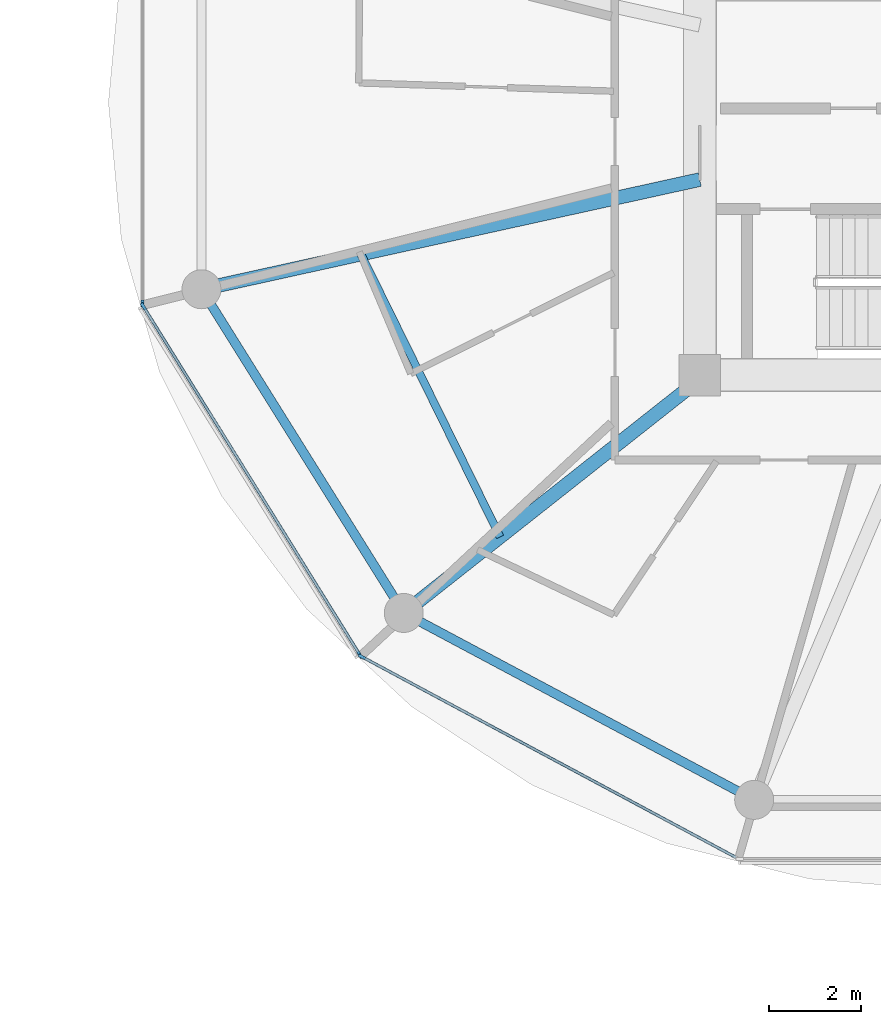
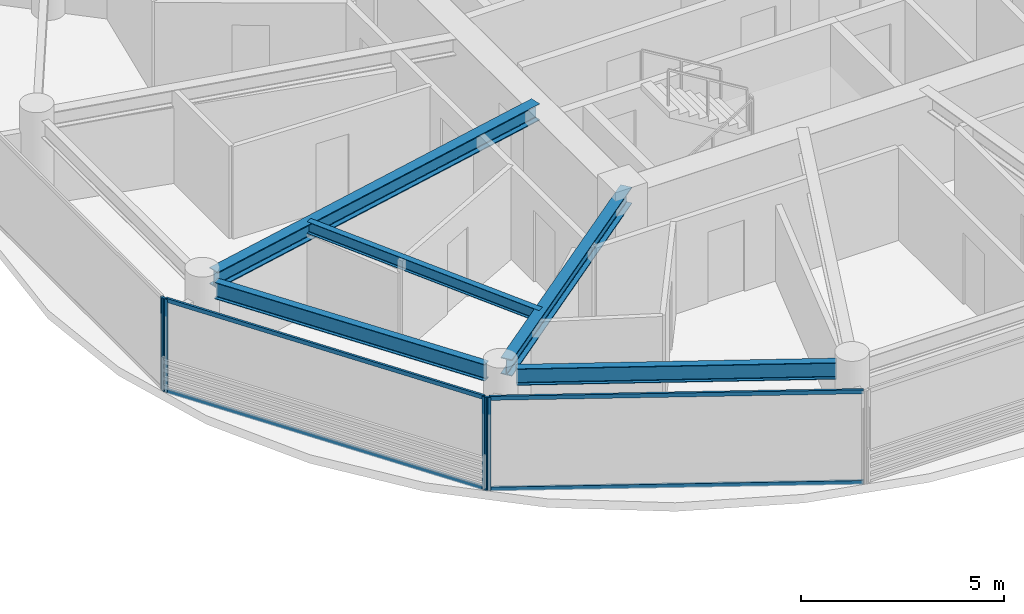
# One storey, part 6 of 24: 8 members, 5 beams, 3 elements without a shape of their own.
"""IFC4 building model written with IfcOpenShell, lengths in metres."""

from ifc_helpers import new_model, si_unit, direction, frame, origin, origin_2d, place, context, subcontext, project, spatial, rectangle, i_section, extrude, source, transform, mapped, material, layer, layer_set, material_profile, profile_set, type_object, type_shapes, element, aggregate, save


model = new_model("IFC4")

# Units and contexts
model_context = context("Model", 3, precision=1e-05, world=origin(), true_north=direction((0.0, 1.0)))
body_context = subcontext(model_context, "Body", "Model", "MODEL_VIEW")
ifc_project = project(units=[si_unit("LENGTHUNIT", "METRE"), si_unit("AREAUNIT", "SQUARE_METRE"), si_unit("VOLUMEUNIT", "CUBIC_METRE"), si_unit("PLANEANGLEUNIT", "RADIAN"), si_unit("MASSUNIT", "GRAM", prefix="KILO")], contexts=[model_context])

# Site, building, storey
site_placement = place(None, origin())
site = spatial("IfcSite", under=ifc_project, at=site_placement, CompositionType="ELEMENT")
building_placement = place(site_placement, origin())
building = spatial("IfcBuilding", under=site, at=building_placement, Name="Norrkilde Senior Care Towers", CompositionType="ELEMENT")
storey_placement = place(building_placement, frame((0.0, 0.0, 105.39990234375)))
storey = spatial("IfcBuildingStorey", under=building, at=storey_placement, Name="L32", CompositionType="ELEMENT", Elevation=105.39990234375)

# Beams
ifc_material_1 = material(Name="Steel S355", Category="steel")
ifc_material_profile_1 = material_profile(ifc_material_1, i_section(OverallWidth=0.199951171875, OverallDepth=0.5, WebThickness=0.01025390625, FlangeThickness=0.01611328125, FilletRadius=0.02099609375, at=origin_2d()), Name="IPE 500")
ifc_profile_set_1 = profile_set([ifc_material_profile_1], Name="Steel S355")
beam_type_1 = type_object("IfcBeamType", Name="Perimeter Ring Spandrel Z2 IPE500", PredefinedType="SPANDREL", material=ifc_profile_set_1)
shared_shape_1 = source(origin(), body_context, "Body", "SweptSolid", [
    extrude(i_section(OverallWidth=0.199951171875, OverallDepth=0.5, WebThickness=0.01025390625, FlangeThickness=0.01611328125, FilletRadius=0.02099609375, at=origin_2d()), origin(), (0.0, 0.0, 1.0), 7.55615234375),
])
beam_1_placement = place(storey_placement, frame((9.68505859375, -4.40283203125, 2.5400390625), z_axis=(0.529981514254, -0.848009194849, 0.0), x_axis=(0.848009194849, 0.529981514254, 0.0)))
element("IfcBeam", 1, at=beam_1_placement, inside=storey, type_object=beam_type_1, Name="L32 Drum E Perimeter Spandrel 07", PredefinedType="SPANDREL", context=body_context, shape_type="MappedRepresentation", body=[
    mapped(shared_shape_1, transform((0.0, 0.0, 0.0), x_axis=(1.0, 0.0, 0.0), y_axis=(0.0, 1.0, 0.0), z_axis=(0.0, 0.0, 1.0), scale=1.0)),
])
ifc_material_profile_2 = material_profile(ifc_material_1, i_section(OverallWidth=0.300048828125, OverallDepth=0.5, WebThickness=0.014404296875, FlangeThickness=0.028076171875, FilletRadius=0.027099609375, at=origin_2d()), Name="HEB 500")
ifc_profile_set_2 = profile_set([ifc_material_profile_2], Name="Steel S355")
beam_type_2 = type_object("IfcBeamType", Name="Radial Floor Beam Z2 HEB500", PredefinedType="BEAM", material=ifc_profile_set_2)
shared_shape_2 = source(origin(), body_context, "Body", "SweptSolid", [
    extrude(i_section(OverallWidth=0.300048828125, OverallDepth=0.5, WebThickness=0.014404296875, FlangeThickness=0.028076171875, FilletRadius=0.027099609375, at=origin_2d()), origin(), (0.0, 0.0, 1.0), 10.744384765625),
])
beam_2_placement = place(storey_placement, frame((20.35009765625, -1.683837890625, 2.5400390625), z_axis=(-0.976618711422, -0.214978818724, 0.0), x_axis=(0.214978818724, -0.976618711422, 0.0)))
element("IfcBeam", 2, at=beam_2_placement, inside=storey, type_object=beam_type_2, Name="L32 Drum E Radial Floor Beam 07", PredefinedType="BEAM", context=body_context, shape_type="MappedRepresentation", body=[
    mapped(shared_shape_2, transform((0.0, 0.0, 0.0), x_axis=(1.0, 0.0, 0.0), y_axis=(0.0, 1.0, 0.0), z_axis=(0.0, 0.0, 1.0), scale=1.0)),
])
shared_shape_3 = source(origin(), body_context, "Body", "SweptSolid", [
    extrude(i_section(OverallWidth=0.199951171875, OverallDepth=0.5, WebThickness=0.01025390625, FlangeThickness=0.01611328125, FilletRadius=0.02099609375, at=origin_2d()), origin(), (0.0, 0.0, 1.0), 7.892333984375),
])
type_shapes(beam_type_1, [shared_shape_1, shared_shape_3])
beam_3_placement = place(storey_placement, frame((14.233642578125, -11.318115234375, 2.5400390625), z_axis=(0.882350372282, -0.47059305194, 0.0), x_axis=(0.47059305194, 0.882350372282, 0.0)))
element("IfcBeam", 3, at=beam_3_placement, inside=storey, type_object=beam_type_1, Name="L32 Drum E Perimeter Spandrel 08", PredefinedType="SPANDREL", context=body_context, shape_type="MappedRepresentation", body=[
    mapped(shared_shape_3, transform((0.0, 0.0, 0.0), x_axis=(1.0, 0.0, 0.0), y_axis=(0.0, 1.0, 0.0), z_axis=(0.0, 0.0, 1.0), scale=1.0)),
])
shared_shape_4 = source(origin(), body_context, "Body", "SweptSolid", [
    extrude(i_section(OverallWidth=0.300048828125, OverallDepth=0.5, WebThickness=0.014404296875, FlangeThickness=0.028076171875, FilletRadius=0.027099609375, at=origin_2d()), origin(), (0.0, 0.0, 1.0), 7.985595703125),
])
type_shapes(beam_type_2, [shared_shape_2, shared_shape_4])
beam_4_placement = place(storey_placement, frame((20.463623046875, -5.949951171875, 2.5400390625), z_axis=(-0.784858505144, -0.619675017169, 0.0), x_axis=(0.619675017169, -0.784858505144, 0.0)))
element("IfcBeam", 4, at=beam_4_placement, inside=storey, type_object=beam_type_2, Name="L32 Drum E Radial Floor Beam 08", PredefinedType="BEAM", context=body_context, shape_type="MappedRepresentation", body=[
    mapped(shared_shape_4, transform((0.0, 0.0, 0.0), x_axis=(1.0, 0.0, 0.0), y_axis=(0.0, 1.0, 0.0), z_axis=(0.0, 0.0, 1.0), scale=1.0)),
])
ifc_material_profile_3 = material_profile(ifc_material_1, i_section(OverallWidth=0.169921875, OverallDepth=0.360107421875, WebThickness=0.008056640625, FlangeThickness=0.0126953125, FilletRadius=0.01806640625, at=origin_2d()), Name="IPE 360")
ifc_profile_set_3 = profile_set([ifc_material_profile_3], Name="Steel S355")
beam_type_3 = type_object("IfcBeamType", Name="Secondary Floor Joist IPE360", PredefinedType="JOIST", material=ifc_profile_set_3)
shared_shape_5 = source(origin(), body_context, "Body", "SweptSolid", [
    extrude(i_section(OverallWidth=0.169921875, OverallDepth=0.360107421875, WebThickness=0.008056640625, FlangeThickness=0.0126953125, FilletRadius=0.01806640625, at=origin_2d()), origin(), (0.0, 0.0, 1.0), 6.87353515625),
])
type_shapes(beam_type_3, [shared_shape_5])
beam_5_placement = place(storey_placement, frame((12.958984375, -3.310791015625, 2.610107421875), z_axis=(0.44184939592, -0.897089243791, 0.0), x_axis=(0.897089243791, 0.44184939592, 0.0)))
element("IfcBeam", 5, at=beam_5_placement, inside=storey, type_object=beam_type_3, Name="L32 Drum E Secondary Floor Joist 3", PredefinedType="JOIST", context=body_context, shape_type="MappedRepresentation", body=[
    mapped(shared_shape_5, transform((0.0, 0.0, 0.0), x_axis=(1.0, 0.0, 0.0), y_axis=(0.0, 1.0, 0.0), z_axis=(0.0, 0.0, 1.0), scale=1.0)),
])

# Curtain wall, member
ifc_material_2 = material(Name="Triple Low-E Insulated Glazing", Category="glass")
ifc_layer = layer(ifc_material_2, 0.195068359375)
ifc_layer_set = layer_set([ifc_layer], Name="Triple Low-E Insulated Glazing")
curtain_wall_type = type_object("IfcCurtainWallType", Name="CW3 Zone 2 Assisted Living Curtain Wall", PredefinedType="NOTDEFINED", material=ifc_layer_set)
curtain_wall_1_placement = place(storey_placement, origin())
curtain_wall_1 = element("IfcCurtainWall", 6, at=curtain_wall_1_placement, inside=storey, type_object=curtain_wall_type, Name="L32 Drum E Curtain Wall 05", PredefinedType="NOTDEFINED")
ifc_material_3 = material(Name="Anodised Aluminium", Category="aluminium")
ifc_material_profile_4 = material_profile(ifc_material_3, rectangle(XDim=0.06494140625, YDim=0.159912109375, at=origin_2d()), Name="ALU MULL 65x160")
ifc_profile_set_4 = profile_set([ifc_material_profile_4], Name="Anodised Aluminium")
member_type_1 = type_object("IfcMemberType", Name="Curtain Wall Mullion Z1-Z2 65x160", PredefinedType="MULLION", material=ifc_profile_set_4)
shared_shape_6 = source(origin(), body_context, "Body", "SweptSolid", [
    extrude(rectangle(XDim=0.06494140625, YDim=0.159912109375, at=origin_2d()), origin(), (0.0, 0.0, 1.0), 2.7900390625),
])
type_shapes(member_type_1, [shared_shape_6])
member_1_placement = place(storey_placement, frame((8.1962890625, -4.38818359375, 0.0), z_axis=(0.0, 0.0, 1.0), x_axis=(-1.0, 0.0, 0.0)))
member_1 = element("IfcMember", 7, at=member_1_placement, type_object=member_type_1, Name="CW-3 mullion 1", PredefinedType="MULLION", context=body_context, shape_type="MappedRepresentation", body=[
    mapped(shared_shape_6, transform((0.0, 0.0, 0.0), x_axis=(1.0, 0.0, 0.0), y_axis=(0.0, 1.0, 0.0), z_axis=(0.0, 0.0, 1.0), scale=1.0)),
])
aggregate(curtain_wall_1, [member_1])

# Curtain wall, members
curtain_wall_2_placement = place(storey_placement, origin())
curtain_wall_2 = element("IfcCurtainWall", 8, at=curtain_wall_2_placement, inside=storey, type_object=curtain_wall_type, Name="L32 Drum E Curtain Wall 06", PredefinedType="NOTDEFINED")
member_2_placement = place(storey_placement, frame((12.936279296875, -12.0498046875, 0.0), z_axis=(0.0, 0.0, 1.0), x_axis=(-0.849410171862, -0.527733228002, 0.0)))
member_2 = element("IfcMember", 9, at=member_2_placement, type_object=member_type_1, Name="CW-3 mullion 1", PredefinedType="MULLION", context=body_context, shape_type="MappedRepresentation", body=[
    mapped(shared_shape_6, transform((0.0, 0.0, 0.0), x_axis=(1.0, 0.0, 0.0), y_axis=(0.0, 1.0, 0.0), z_axis=(0.0, 0.0, 1.0), scale=1.0)),
])
member_3_placement = place(storey_placement, frame((8.21337890625, -4.4482421875, 0.0), z_axis=(0.0, 0.0, 1.0), x_axis=(-0.849410171862, -0.527733228002, 0.0)))
member_3 = element("IfcMember", 10, at=member_3_placement, type_object=member_type_1, Name="CW-3 mullion 2", PredefinedType="MULLION", context=body_context, shape_type="MappedRepresentation", body=[
    mapped(shared_shape_6, transform((0.0, 0.0, 0.0), x_axis=(1.0, 0.0, 0.0), y_axis=(0.0, 1.0, 0.0), z_axis=(0.0, 0.0, 1.0), scale=1.0)),
])

# Curtain wall, member
curtain_wall_3_placement = place(storey_placement, origin())
curtain_wall_3 = element("IfcCurtainWall", 11, at=curtain_wall_3_placement, inside=storey, type_object=curtain_wall_type, Name="L32 Drum E Curtain Wall 07", PredefinedType="NOTDEFINED")
member_4_placement = place(storey_placement, frame((12.98193359375, -12.0927734375, 0.0), z_axis=(0.0, 0.0, 1.0), x_axis=(-0.472769402511, -0.881186184668, 0.0)))
member_4 = element("IfcMember", 12, at=member_4_placement, type_object=member_type_1, Name="CW-3 mullion 2", PredefinedType="MULLION", context=body_context, shape_type="MappedRepresentation", body=[
    mapped(shared_shape_6, transform((0.0, 0.0, 0.0), x_axis=(1.0, 0.0, 0.0), y_axis=(0.0, 1.0, 0.0), z_axis=(0.0, 0.0, 1.0), scale=1.0)),
])

# Member
ifc_material_profile_5 = material_profile(ifc_material_3, rectangle(XDim=0.06005859375, YDim=0.1201171875, at=origin_2d()), Name="ALU TRAN 60x120")
ifc_profile_set_5 = profile_set([ifc_material_profile_5], Name="Anodised Aluminium")
member_type_2 = type_object("IfcMemberType", Name="Curtain Wall Transom Typical 60x120", PredefinedType="USERDEFINED", material=ifc_profile_set_5)
shared_shape_7 = source(origin(), body_context, "Body", "SweptSolid", [
    extrude(rectangle(XDim=0.06005859375, YDim=0.1201171875, at=origin_2d()), origin(), (0.0, 0.0, 1.0), 8.88427734375),
])
member_5_placement = place(storey_placement, frame((12.919189453125, -12.022216796875, 0.030029296875), z_axis=(-0.527749293309, 0.849400190377, 0.0), x_axis=(-0.849400190377, -0.527749293309, 0.0)))
member_5 = element("IfcMember", 13, at=member_5_placement, type_object=member_type_2, Name="CW-3 transom 1.1", ObjectType="TRANSOM", PredefinedType="USERDEFINED", context=body_context, shape_type="MappedRepresentation", body=[
    mapped(shared_shape_7, transform((0.0, 0.0, 0.0), x_axis=(1.0, 0.0, 0.0), y_axis=(0.0, 1.0, 0.0), z_axis=(0.0, 0.0, 1.0), scale=1.0)),
])

member_6_placement = place(storey_placement, frame((12.919189453125, -12.022216796875, 2.760009765625), z_axis=(-0.527749293309, 0.849400190377, 0.0), x_axis=(-0.849400190377, -0.527749293309, 0.0)))
member_6 = element("IfcMember", 14, at=member_6_placement, type_object=member_type_2, Name="CW-3 transom 1.2", ObjectType="TRANSOM", PredefinedType="USERDEFINED", context=body_context, shape_type="MappedRepresentation", body=[
    mapped(shared_shape_7, transform((0.0, 0.0, 0.0), x_axis=(1.0, 0.0, 0.0), y_axis=(0.0, 1.0, 0.0), z_axis=(0.0, 0.0, 1.0), scale=1.0)),
])

aggregate(curtain_wall_2, [member_2, member_3, member_5, member_6])

shared_shape_8 = source(origin(), body_context, "Body", "SweptSolid", [
    extrude(rectangle(XDim=0.06005859375, YDim=0.1201171875, at=origin_2d()), origin(), (0.0, 0.0, 1.0), 9.220458984375),
])
type_shapes(member_type_2, [shared_shape_7, shared_shape_8])
member_7_placement = place(storey_placement, frame((21.1357421875, -16.46728515625, 0.030029296875), z_axis=(-0.881188517866, 0.472765053681, 0.0), x_axis=(-0.472765053681, -0.881188517866, 0.0)))
member_7 = element("IfcMember", 15, at=member_7_placement, type_object=member_type_2, Name="CW-3 transom 1.1", ObjectType="TRANSOM", PredefinedType="USERDEFINED", context=body_context, shape_type="MappedRepresentation", body=[
    mapped(shared_shape_8, transform((0.0, 0.0, 0.0), x_axis=(1.0, 0.0, 0.0), y_axis=(0.0, 1.0, 0.0), z_axis=(0.0, 0.0, 1.0), scale=1.0)),
])

member_8_placement = place(storey_placement, frame((21.1357421875, -16.46728515625, 2.760009765625), z_axis=(-0.881188517866, 0.472765053681, 0.0), x_axis=(-0.472765053681, -0.881188517866, 0.0)))
member_8 = element("IfcMember", 16, at=member_8_placement, type_object=member_type_2, Name="CW-3 transom 1.2", ObjectType="TRANSOM", PredefinedType="USERDEFINED", context=body_context, shape_type="MappedRepresentation", body=[
    mapped(shared_shape_8, transform((0.0, 0.0, 0.0), x_axis=(1.0, 0.0, 0.0), y_axis=(0.0, 1.0, 0.0), z_axis=(0.0, 0.0, 1.0), scale=1.0)),
])

aggregate(curtain_wall_3, [member_4, member_7, member_8])

save(model, "model.ifc")
